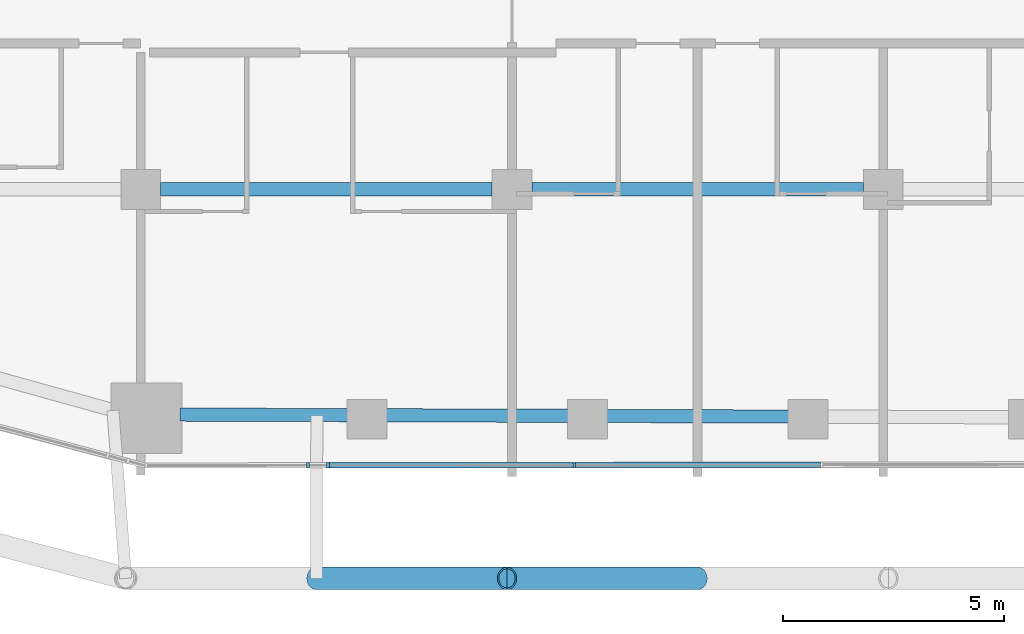
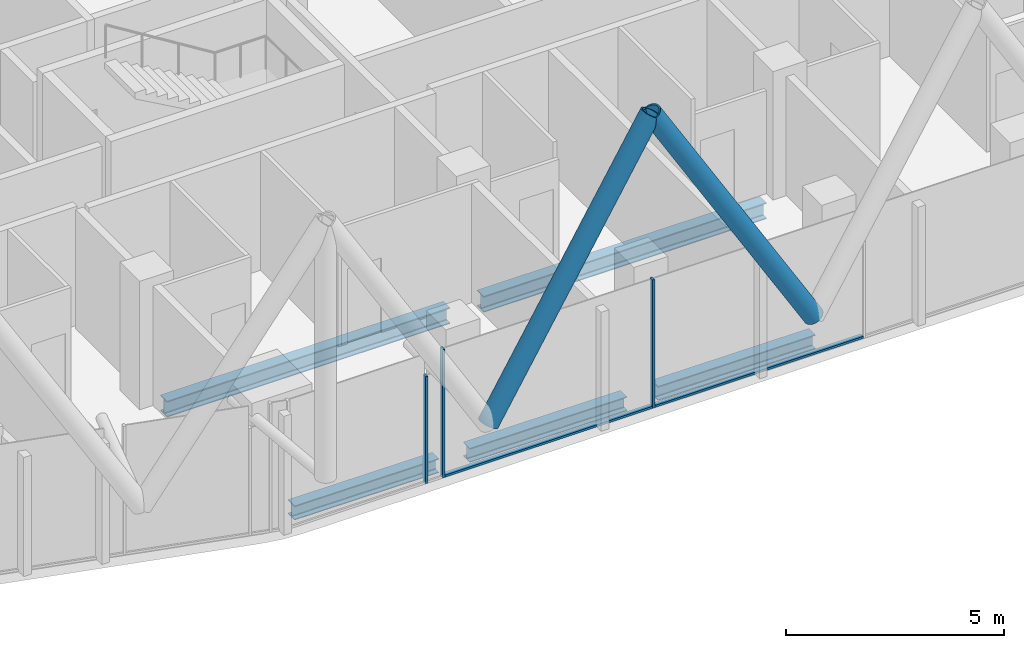
# One storey, part 3 of 36: 7 members, 5 beams, 2 elements without a shape of their own.
"""IFC4 building model written with IfcOpenShell, lengths in metres."""

from ifc_helpers import new_model, si_unit, direction, frame, origin, origin_2d, place, context, subcontext, project, spatial, rectangle, hollow_circle, i_section, extrude, material, layer, layer_set, material_profile, profile_set, type_object, element, aggregate, save


model = new_model("IFC4")

# Units and contexts
model_context = context("Model", 3, precision=1e-05, world=origin(), true_north=direction((0.0, 1.0)))
body_context = subcontext(model_context, "Body", "Model", "MODEL_VIEW")
ifc_project = project(units=[si_unit("LENGTHUNIT", "METRE"), si_unit("AREAUNIT", "SQUARE_METRE"), si_unit("VOLUMEUNIT", "CUBIC_METRE"), si_unit("PLANEANGLEUNIT", "RADIAN"), si_unit("MASSUNIT", "GRAM", prefix="KILO")], contexts=[model_context])

# Site, building, storey
site_placement = place(None, origin())
site = spatial("IfcSite", under=ifc_project, at=site_placement, CompositionType="ELEMENT")
building_placement = place(site_placement, origin())
building = spatial("IfcBuilding", under=site, at=building_placement, Name="Marenta Gate Hotel Tower", CompositionType="ELEMENT")
storey_placement = place(building_placement, frame((0.0, 0.0, 130.10009765625)))
storey = spatial("IfcBuildingStorey", under=building, at=storey_placement, Name="L29", CompositionType="ELEMENT", Elevation=130.10009765625)

# Members
ifc_material_1 = material(Name="Steel S355J2W", Category="steel")
ifc_material_profile_1 = material_profile(ifc_material_1, hollow_circle(Radius=0.25390625, WallThickness=0.0400390625, at=origin_2d()), Name="CHS 508x40")
ifc_profile_set_1 = profile_set([ifc_material_profile_1], Name="Steel S355J2W")
member_type_1 = type_object("IfcMemberType", Name="Diagrid diagonal Z2 CHS 508x40", PredefinedType="BRACE", material=ifc_profile_set_1)
for number, where, z_axis, x_axis, name in (
    (1, (0.0, -25.60009765625, 3.139892578125), (-0.513883902774, 0.0, 0.857859740558), (0.0, -1.0, 0.0), "L29-DG-18"),
    (2, (-8.6259765625, -25.60009765625, 3.139892578125), (0.513883902774, 0.0, 0.857859740558), (0.0, 1.0, 0.0), "L29-DG-19"),
):
    element("IfcMember", number, at=place(storey_placement, frame(where, z_axis=z_axis, x_axis=x_axis)), inside=storey, type_object=member_type_1, Name=name, PredefinedType="BRACE", context=body_context, shape_type="SweptSolid", body=[
        extrude(hollow_circle(Radius=0.25390625, WallThickness=0.0400390625, at=origin_2d()), origin(), (0.0, 0.0, 1.0), 8.392822265625),
    ])

# Beams
ifc_material_2 = material(Name="Steel S355", Category="steel")
ifc_material_profile_2 = material_profile(ifc_material_2, i_section(OverallWidth=0.300048828125, OverallDepth=0.39990234375, WebThickness=0.013427734375, FlangeThickness=0.02392578125, FilletRadius=0.027099609375, at=origin_2d()), Name="HEB 400")
ifc_profile_set_2 = profile_set([ifc_material_profile_2], Name="Steel S355")
beam_type_1 = type_object("IfcBeamType", Name="Edge beam HEB 400", PredefinedType="SPANDREL", material=ifc_profile_set_2)
beam_1_placement = place(storey_placement, frame((2.08349609375, -21.939453125, -0.460205078125), z_axis=(-0.999994808095, 0.003222387769, 0.0), x_axis=(-0.003222387769, -0.999994808095, 0.0)))
element("IfcBeam", 3, at=beam_1_placement, inside=storey, type_object=beam_type_1, Name="L29-EB-34", PredefinedType="SPANDREL", context=body_context, shape_type="SweptSolid", body=[
    extrude(i_section(OverallWidth=0.300048828125, OverallDepth=0.39990234375, WebThickness=0.013427734375, FlangeThickness=0.02392578125, FilletRadius=0.027099609375, at=origin_2d()), origin(), (0.0, 0.0, 1.0), 4.1669921875),
])
beam_2_placement = place(storey_placement, frame((-2.9033203125, -21.92333984375, -0.460205078125), z_axis=(-0.999994807487, 0.003222576575, 0.0), x_axis=(-0.003222576575, -0.999994807487, 0.0)))
element("IfcBeam", 4, at=beam_2_placement, inside=storey, type_object=beam_type_1, Name="L29-EB-35", PredefinedType="SPANDREL", context=body_context, shape_type="SweptSolid", body=[
    extrude(i_section(OverallWidth=0.300048828125, OverallDepth=0.39990234375, WebThickness=0.013427734375, FlangeThickness=0.02392578125, FilletRadius=0.027099609375, at=origin_2d()), origin(), (0.0, 0.0, 1.0), 4.166748046875),
])
beam_3_placement = place(storey_placement, frame((-7.89013671875, -21.907470703125, -0.460205078125), z_axis=(-0.999994677283, 0.003262729738, 0.0), x_axis=(-0.003262729738, -0.999994677283, 0.0)))
element("IfcBeam", 5, at=beam_3_placement, inside=storey, type_object=beam_type_1, Name="L29-EB-36", PredefinedType="SPANDREL", context=body_context, shape_type="SweptSolid", body=[
    extrude(i_section(OverallWidth=0.300048828125, OverallDepth=0.39990234375, WebThickness=0.013427734375, FlangeThickness=0.02392578125, FilletRadius=0.027099609375, at=origin_2d()), origin(), (0.0, 0.0, 1.0), 3.816162109375),
])
ifc_material_3 = material(Name="Steel S355", Category="steel")
ifc_material_profile_3 = material_profile(ifc_material_3, i_section(OverallWidth=0.300048828125, OverallDepth=0.449951171875, WebThickness=0.013916015625, FlangeThickness=0.02587890625, FilletRadius=0.027099609375, at=origin_2d()), Name="HEB 450")
ifc_profile_set_3 = profile_set([ifc_material_profile_3], Name="Steel S355")
beam_type_2 = type_object("IfcBeamType", Name="Girder HEB 450", PredefinedType="BEAM", material=ifc_profile_set_3)
for number, where, z_axis, x_axis, name in (
    (6, (-12.14990234375, -16.800048828125, -0.485107421875), (1.0, 0.0, 0.0), (0.0, 1.0, 0.0), "L29-GD-3"),
    (7, (-3.75, -16.800048828125, -0.485107421875), (1.0, 0.0, 0.0), (0.0, 1.0, 0.0), "L29-GD-4"),
):
    element("IfcBeam", number, at=place(storey_placement, frame(where, z_axis=z_axis, x_axis=x_axis)), inside=storey, type_object=beam_type_2, Name=name, PredefinedType="BEAM", context=body_context, shape_type="SweptSolid", body=[
        extrude(i_section(OverallWidth=0.300048828125, OverallDepth=0.449951171875, WebThickness=0.013916015625, FlangeThickness=0.02587890625, FilletRadius=0.027099609375, at=origin_2d()), origin(), (0.0, 0.0, 1.0), 7.5),
    ])

# Curtain wall, member
ifc_material_4 = material(Name="Tinted insulated glass in bronze anodised frame", Category="glass")
ifc_layer = layer(ifc_material_4, 0.1201171875)
ifc_layer_set = layer_set([ifc_layer], Name="Tinted insulated glass in bronze anodised frame")
curtain_wall_type = type_object("IfcCurtainWallType", Name="Tower unitised curtain wall CW1", PredefinedType="NOTDEFINED", material=ifc_layer_set)
curtain_wall_1_placement = place(storey_placement, origin())
curtain_wall_1 = element("IfcCurtainWall", 8, at=curtain_wall_1_placement, inside=storey, type_object=curtain_wall_type, Name="CW1 run G20", PredefinedType="NOTDEFINED")
ifc_material_5 = material(Name="Bronze anodised aluminium", Category="aluminium")
ifc_material_profile_4 = material_profile(ifc_material_5, rectangle(XDim=0.1201171875, YDim=0.06005859375, at=origin_2d()), Name="Mullion CW1 60x120 bronze anodised aluminium")
ifc_profile_set_4 = profile_set([ifc_material_profile_4], Name="Bronze anodised aluminium")
member_type_2 = type_object("IfcMemberType", Name="Mullion CW1 60x120 bronze anodised aluminium", PredefinedType="MULLION", material=ifc_profile_set_4)
member_1_placement = place(storey_placement, frame((-8.814208984375, -23.04248046875, 0.0), z_axis=(0.0, 0.0, 1.0), x_axis=(-0.001324502144, 0.999999122847, 0.0)))
member_1 = element("IfcMember", 9, at=member_1_placement, type_object=member_type_2, Name="CW1 mullion 1", PredefinedType="MULLION", context=body_context, shape_type="SweptSolid", body=[
    extrude(rectangle(XDim=0.1201171875, YDim=0.06005859375, at=origin_2d()), origin(), (0.0, 0.0, 1.0), 3.00048828125),
])
aggregate(curtain_wall_1, [member_1])

# Curtain wall, members
curtain_wall_2_placement = place(storey_placement, origin())
curtain_wall_2 = element("IfcCurtainWall", 10, at=curtain_wall_2_placement, inside=storey, type_object=curtain_wall_type, Name="CW1 run G21", PredefinedType="NOTDEFINED")
member_2_placement = place(storey_placement, frame((-8.361328125, -23.041748046875, 0.0), z_axis=(0.0, 0.0, 1.0), x_axis=(-0.001363166999, 0.999999070887, 0.0)))
member_2 = element("IfcMember", 11, at=member_2_placement, type_object=member_type_2, Name="CW1 mullion 1", PredefinedType="MULLION", context=body_context, shape_type="SweptSolid", body=[
    extrude(rectangle(XDim=0.1201171875, YDim=0.06005859375, at=origin_2d()), origin(), (0.0, 0.0, 1.0), 3.599853515625),
])
member_3_placement = place(storey_placement, frame((-2.79150390625, -23.0341796875, 0.0), z_axis=(0.0, 0.0, 1.0), x_axis=(-0.001363166999, 0.999999070887, 0.0)))
member_3 = element("IfcMember", 12, at=member_3_placement, type_object=member_type_2, Name="CW1 mullion 2", PredefinedType="MULLION", context=body_context, shape_type="SweptSolid", body=[
    extrude(rectangle(XDim=0.1201171875, YDim=0.06005859375, at=origin_2d()), origin(), (0.0, 0.0, 1.0), 3.599853515625),
])
ifc_material_6 = material(Name="Bronze anodised aluminium", Category="aluminium")
ifc_material_profile_5 = material_profile(ifc_material_6, rectangle(XDim=0.1201171875, YDim=0.06005859375, at=origin_2d()), Name="Transom CW1 60x120 bronze anodised aluminium")
ifc_profile_set_5 = profile_set([ifc_material_profile_5], Name="Bronze anodised aluminium")
member_type_3 = type_object("IfcMemberType", Name="Transom CW1 60x120 bronze anodised aluminium", PredefinedType="USERDEFINED", material=ifc_profile_set_5)
member_4_placement = place(storey_placement, frame((-8.331298828125, -23.041748046875, 0.02978515625), z_axis=(0.999999116461, 0.001329314671, 0.0), x_axis=(-0.001329314671, 0.999999116461, 0.0)))
member_4 = element("IfcMember", 13, at=member_4_placement, type_object=member_type_3, Name="CW1 transom 1.1", ObjectType="TRANSOM", PredefinedType="USERDEFINED", context=body_context, shape_type="SweptSolid", body=[
    extrude(rectangle(XDim=0.1201171875, YDim=0.06005859375, at=origin_2d()), origin(), (0.0, 0.0, 1.0), 5.509765625),
])
member_5_placement = place(storey_placement, frame((-2.76171875, -23.0341796875, 0.02978515625), z_axis=(0.999999066777, 0.001366179149, 0.0), x_axis=(-0.001366179149, 0.999999066777, 0.0)))
member_5 = element("IfcMember", 14, at=member_5_placement, type_object=member_type_3, Name="CW1 transom 2.1", ObjectType="TRANSOM", PredefinedType="USERDEFINED", context=body_context, shape_type="SweptSolid", body=[
    extrude(rectangle(XDim=0.1201171875, YDim=0.06005859375, at=origin_2d()), origin(), (0.0, 0.0, 1.0), 5.539794921875),
])
aggregate(curtain_wall_2, [member_2, member_3, member_4, member_5])

save(model, "model.ifc")
